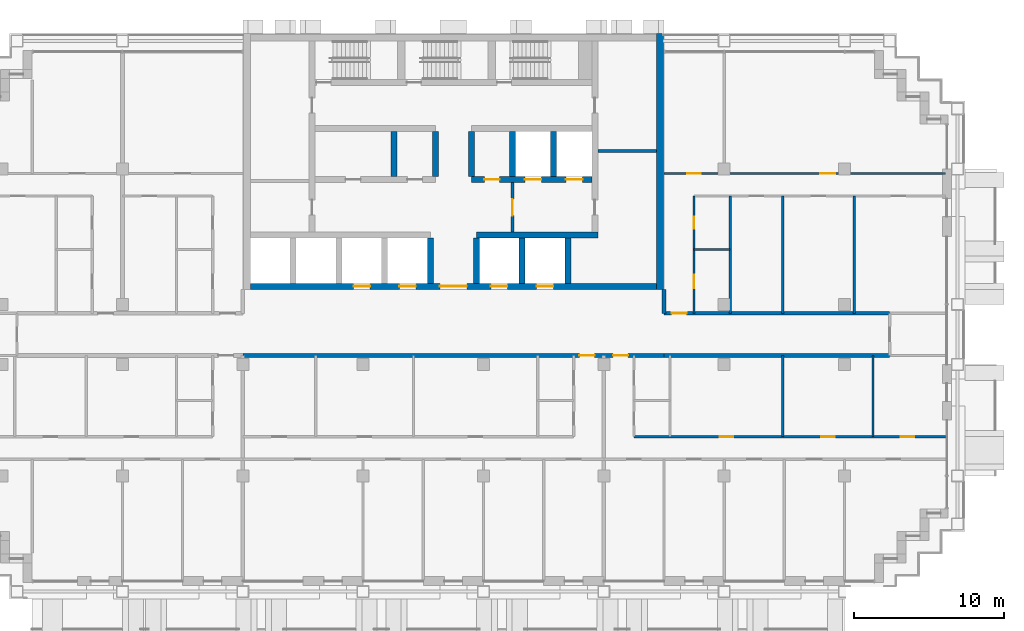
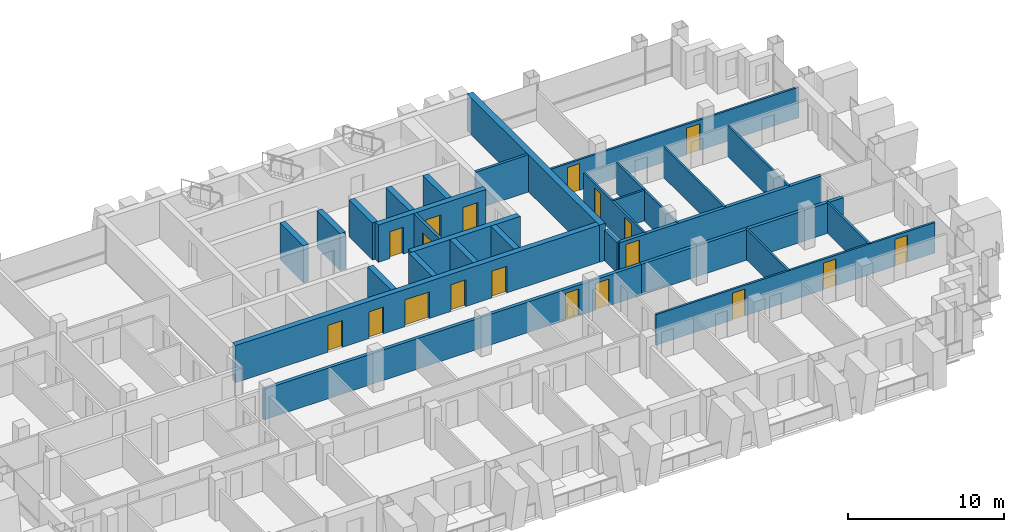
# One storey, part 10 of 18: 28 walls, 19 doors, 19 openings.
"""IFC4 building model written with IfcOpenShell, lengths in metres."""

from ifc_helpers import new_model, si_unit, direction, frame, frame_2d, origin, place, context, subcontext, project, spatial, rectangle, extrude, material, layer, layer_set, type_object, element, fill, save


model = new_model("IFC4")

# Units and contexts
model_context = context("Model", 3, precision=1e-05, world=origin(), true_north=direction((0.0, 1.0)))
body_context = subcontext(model_context, "Body", "Model", "MODEL_VIEW")
ifc_project = project(units=[si_unit("LENGTHUNIT", "METRE"), si_unit("AREAUNIT", "SQUARE_METRE"), si_unit("VOLUMEUNIT", "CUBIC_METRE"), si_unit("PLANEANGLEUNIT", "RADIAN"), si_unit("MASSUNIT", "GRAM", prefix="KILO")], contexts=[model_context])

# Site, building, storey
site_placement = place(None, origin())
site = spatial("IfcSite", under=ifc_project, at=site_placement, CompositionType="ELEMENT")
building_placement = place(site_placement, origin())
building = spatial("IfcBuilding", under=site, at=building_placement, Name="Vidyagriha Tower", CompositionType="ELEMENT")
storey_placement = place(building_placement, frame((0.0, 0.0, 142.199951171875)))
storey = spatial("IfcBuildingStorey", under=building, at=storey_placement, Name="L37", CompositionType="ELEMENT", Elevation=142.199951171875)

# Wall, openings, doors
ifc_material_1 = material(Name="Concrete C60/75", Category="concrete")
ifc_layer_1 = layer(ifc_material_1, 0.39990234375)
ifc_layer_set_1 = layer_set([ifc_layer_1], Name="Concrete C60/75")
wall_type_1 = type_object("IfcWallType", Name="Core shear wall 400 mm", PredefinedType="SHEAR", material=ifc_layer_set_1)
wall_1_placement = place(storey_placement, frame((-13.5, 3.199951171875, 0.0)))
wall_1 = element("IfcWall", 1, at=wall_1_placement, inside=storey, type_object=wall_type_1, Name="Core front wall", PredefinedType="SHEAR", context=body_context, shape_type="SweptSolid", body=[
    extrude(rectangle(XDim=27.0, YDim=0.39990234375, at=frame_2d((13.5, 0.0))), origin(), (0.0, 0.0, 1.0), 2.920166015625),
])
opening_1_placement = place(wall_1_placement, frame((6.861083984375, 0.0, 0.0)))
opening_1 = element("IfcOpeningElement", 2, at=opening_1_placement, cuts=wall_1, Name="Opening LD37-01", PredefinedType="OPENING", context=body_context, shape_type="SweptSolid", body=[
    extrude(rectangle(XDim=1.10009765625, YDim=2.10009765625, at=frame_2d((0.550048828125, 1.050048828125))), frame((0.0, 0.2099609375, 0.0), z_axis=(0.0, -1.0, 0.0), x_axis=(1.0, 0.0, 0.0)), (0.0, 0.0, 1.0), 0.419921875),
])
opening_2_placement = place(wall_1_placement, frame((9.905517578125, 0.0, 0.0)))
opening_2 = element("IfcOpeningElement", 3, at=opening_2_placement, cuts=wall_1, Name="Opening LD37-02", PredefinedType="OPENING", context=body_context, shape_type="SweptSolid", body=[
    extrude(rectangle(XDim=1.10009765625, YDim=2.10009765625, at=frame_2d((0.550048828125, 1.050048828125))), frame((0.0, 0.2099609375, 0.0), z_axis=(0.0, -1.0, 0.0), x_axis=(1.0, 0.0, 0.0)), (0.0, 0.0, 1.0), 0.419921875),
])
opening_3_placement = place(wall_1_placement, frame((15.994384765625, 0.0, 0.0)))
opening_3 = element("IfcOpeningElement", 4, at=opening_3_placement, cuts=wall_1, Name="Opening LD37-03", PredefinedType="OPENING", context=body_context, shape_type="SweptSolid", body=[
    extrude(rectangle(XDim=1.10009765625, YDim=2.10009765625, at=frame_2d((0.550048828125, 1.050048828125))), frame((0.0, 0.2099609375, 0.0), z_axis=(0.0, -1.0, 0.0), x_axis=(1.0, 0.0, 0.0)), (0.0, 0.0, 1.0), 0.419921875),
])
opening_4_placement = place(wall_1_placement, frame((19.038818359375, 0.0, 0.0)))
opening_4 = element("IfcOpeningElement", 5, at=opening_4_placement, cuts=wall_1, Name="Opening LD37-04", PredefinedType="OPENING", context=body_context, shape_type="SweptSolid", body=[
    extrude(rectangle(XDim=1.10009765625, YDim=2.10009765625, at=frame_2d((0.550048828125, 1.050048828125))), frame((0.0, 0.2099609375, 0.0), z_axis=(0.0, -1.0, 0.0), x_axis=(1.0, 0.0, 0.0)), (0.0, 0.0, 1.0), 0.419921875),
])
opening_5_placement = place(wall_1_placement, frame((12.60009765625, 0.0, 0.0)))
opening_5 = element("IfcOpeningElement", 6, at=opening_5_placement, cuts=wall_1, Name="Opening D37-01", PredefinedType="OPENING", context=body_context, shape_type="SweptSolid", body=[
    extrude(rectangle(XDim=1.800048828125, YDim=2.10009765625, at=frame_2d((0.89990234375, 1.050048828125))), frame((0.0, 0.2099609375, 0.0), z_axis=(0.0, -1.0, 0.0), x_axis=(1.0, 0.0, 0.0)), (0.0, 0.0, 1.0), 0.419921875),
])
ifc_material_2 = material(Name="Hollow metal door leaf")
door_type_1 = type_object("IfcDoorType", Name="Core lobby double door 1800 x 2100 mm EI 60", OperationType="NOTDEFINED", PredefinedType="DOOR", material=ifc_material_2)
door_1_placement = place(opening_5_placement, frame((1.800048828125, 0.0, 0.0), z_axis=(0.0, 0.0, 1.0), x_axis=(-1.0, 0.0, 0.0)))
door_1 = element("IfcDoor", 7, at=door_1_placement, inside=storey, type_object=door_type_1, Name="Core entrance door L37", OperationType="DOUBLE_DOOR_SINGLE_SWING", OverallHeight=2.10009765625, OverallWidth=1.800048828125, PredefinedType="DOOR", context=body_context, shape_type="SweptSolid", body=[
    extrude(rectangle(XDim=1.800048828125, YDim=2.10009765625, at=frame_2d((0.89990234375, 1.050048828125))), frame((0.0, 0.02490234375, 0.0), z_axis=(0.0, -1.0, 0.0), x_axis=(1.0, 0.0, 0.0)), (0.0, 0.0, 1.0), 0.050048828125),
])
fill(opening_5, door_1)
ifc_material_3 = material(Name="Stainless steel sliding door panel", Category="steel")
door_type_2 = type_object("IfcDoorType", Name="Lift landing door 1100 x 2100 mm EI 90", OperationType="NOTDEFINED", PredefinedType="DOOR", material=ifc_material_3)
door_2_placement = place(opening_1_placement, origin())
door_2 = element("IfcDoor", 8, at=door_2_placement, inside=storey, type_object=door_type_2, Name="Landing door LR1 L37", OperationType="SLIDING_TO_LEFT", OverallHeight=2.10009765625, OverallWidth=1.10009765625, PredefinedType="DOOR", context=body_context, shape_type="SweptSolid", body=[
    extrude(rectangle(XDim=1.10009765625, YDim=2.10009765625, at=frame_2d((0.550048828125, 1.050048828125))), frame((0.0, 0.02490234375, 0.0), z_axis=(0.0, -1.0, 0.0), x_axis=(1.0, 0.0, 0.0)), (0.0, 0.0, 1.0), 0.050048828125),
])
fill(opening_1, door_2)
door_3_placement = place(opening_2_placement, origin())
door_3 = element("IfcDoor", 9, at=door_3_placement, inside=storey, type_object=door_type_2, Name="Landing door LR2 L37", OperationType="SLIDING_TO_LEFT", OverallHeight=2.10009765625, OverallWidth=1.10009765625, PredefinedType="DOOR", context=body_context, shape_type="SweptSolid", body=[
    extrude(rectangle(XDim=1.10009765625, YDim=2.10009765625, at=frame_2d((0.550048828125, 1.050048828125))), frame((0.0, 0.02490234375, 0.0), z_axis=(0.0, -1.0, 0.0), x_axis=(1.0, 0.0, 0.0)), (0.0, 0.0, 1.0), 0.050048828125),
])
fill(opening_2, door_3)
door_4_placement = place(opening_3_placement, origin())
door_4 = element("IfcDoor", 10, at=door_4_placement, inside=storey, type_object=door_type_2, Name="Landing door LR3 L37", OperationType="SLIDING_TO_LEFT", OverallHeight=2.10009765625, OverallWidth=1.10009765625, PredefinedType="DOOR", context=body_context, shape_type="SweptSolid", body=[
    extrude(rectangle(XDim=1.10009765625, YDim=2.10009765625, at=frame_2d((0.550048828125, 1.050048828125))), frame((0.0, 0.02490234375, 0.0), z_axis=(0.0, -1.0, 0.0), x_axis=(1.0, 0.0, 0.0)), (0.0, 0.0, 1.0), 0.050048828125),
])
fill(opening_3, door_4)
door_5_placement = place(opening_4_placement, origin())
door_5 = element("IfcDoor", 11, at=door_5_placement, inside=storey, type_object=door_type_2, Name="Landing door LR4 L37", OperationType="SLIDING_TO_LEFT", OverallHeight=2.10009765625, OverallWidth=1.10009765625, PredefinedType="DOOR", context=body_context, shape_type="SweptSolid", body=[
    extrude(rectangle(XDim=1.10009765625, YDim=2.10009765625, at=frame_2d((0.550048828125, 1.050048828125))), frame((0.0, 0.02490234375, 0.0), z_axis=(0.0, -1.0, 0.0), x_axis=(1.0, 0.0, 0.0)), (0.0, 0.0, 1.0), 0.050048828125),
])
fill(opening_4, door_5)

# Walls
wall_2_placement = place(storey_placement, frame((1.522216796875, 6.60009765625, 0.0)))
element("IfcWall", 12, at=wall_2_placement, inside=storey, type_object=wall_type_1, Name="Core lobby south wall east", PredefinedType="SHEAR", context=body_context, shape_type="SweptSolid", body=[
    extrude(rectangle(XDim=8.077880859375, YDim=0.39990234375, at=frame_2d((4.0390625, 0.0))), origin(), (0.0, 0.0, 1.0), 2.920166015625),
])
for number, where, z_axis, x_axis, name in (
    (13, (-1.522216796875, 3.39990234375, 0.0), (0.0, 0.0, 1.0), (0.0, 1.0, 0.0), "Core bay wall S4"),
    (14, (1.522216796875, 3.39990234375, 0.0), (0.0, 0.0, 1.0), (0.0, 1.0, 0.0), "Core bay wall S5"),
    (15, (4.566650390625, 3.39990234375, 0.0), (0.0, 0.0, 1.0), (0.0, 1.0, 0.0), "Core bay wall S6"),
    (16, (7.611083984375, 3.39990234375, 0.0), (0.0, 0.0, 1.0), (0.0, 1.0, 0.0), "Core bay wall S7"),
):
    element("IfcWall", number, at=place(storey_placement, frame(where, z_axis=z_axis, x_axis=x_axis)), inside=storey, type_object=wall_type_1, Name=name, PredefinedType="SHEAR", context=body_context, shape_type="SweptSolid", body=[
        extrude(rectangle(XDim=3.0, YDim=0.39990234375, at=frame_2d((1.5, 0.0))), origin(), (0.0, 0.0, 1.0), 2.920166015625),
    ])

# Wall, openings, doors
wall_3_placement = place(storey_placement, frame((1.199951171875, 10.300048828125, 0.0)))
wall_3 = element("IfcWall", 17, at=wall_3_placement, inside=storey, type_object=wall_type_1, Name="Core row N front wall", PredefinedType="SHEAR", context=body_context, shape_type="SweptSolid", body=[
    extrude(rectangle(XDim=8.0, YDim=0.39990234375, at=frame_2d((4.0, 0.0))), origin(), (0.0, 0.0, 1.0), 2.920166015625),
])
opening_6_placement = place(wall_3_placement, frame((3.550048828125, 0.0, 0.0)))
opening_6 = element("IfcOpeningElement", 18, at=opening_6_placement, cuts=wall_3, Name="Opening LD37-05", PredefinedType="OPENING", context=body_context, shape_type="SweptSolid", body=[
    extrude(rectangle(XDim=1.10009765625, YDim=2.10009765625, at=frame_2d((0.550048828125, 1.050048828125))), frame((0.0, 0.2099609375, 0.0), z_axis=(0.0, -1.0, 0.0), x_axis=(1.0, 0.0, 0.0)), (0.0, 0.0, 1.0), 0.419921875),
])
opening_7_placement = place(wall_3_placement, frame((6.283203125, 0.0, 0.0)))
opening_7 = element("IfcOpeningElement", 19, at=opening_7_placement, cuts=wall_3, Name="Opening LD37-06", PredefinedType="OPENING", context=body_context, shape_type="SweptSolid", body=[
    extrude(rectangle(XDim=1.10009765625, YDim=2.10009765625, at=frame_2d((0.550048828125, 1.050048828125))), frame((0.0, 0.2099609375, 0.0), z_axis=(0.0, -1.0, 0.0), x_axis=(1.0, 0.0, 0.0)), (0.0, 0.0, 1.0), 0.419921875),
])
opening_8_placement = place(wall_3_placement, frame((0.86669921875, 0.0, 0.0)))
opening_8 = element("IfcOpeningElement", 20, at=opening_8_placement, cuts=wall_3, Name="Opening D37-04", PredefinedType="OPENING", context=body_context, shape_type="SweptSolid", body=[
    extrude(rectangle(XDim=1.0, YDim=2.10009765625, at=frame_2d((0.5, 1.050048828125))), frame((0.0, 0.2099609375, 0.0), z_axis=(0.0, -1.0, 0.0), x_axis=(1.0, 0.0, 0.0)), (0.0, 0.0, 1.0), 0.419921875),
])
ifc_material_4 = material(Name="Hollow metal door leaf")
door_type_3 = type_object("IfcDoorType", Name="Core room door 1000 x 2100 mm EI 60", OperationType="NOTDEFINED", PredefinedType="DOOR", material=ifc_material_4)
door_6_placement = place(opening_8_placement, frame((1.0, 0.0, 0.0), z_axis=(0.0, 0.0, 1.0), x_axis=(-1.0, 0.0, 0.0)))
door_6 = element("IfcDoor", 21, at=door_6_placement, inside=storey, type_object=door_type_3, Name="Door Pressurisation Plant Room 37.16", OperationType="SINGLE_SWING_LEFT", OverallHeight=2.10009765625, OverallWidth=1.0, PredefinedType="DOOR", context=body_context, shape_type="SweptSolid", body=[
    extrude(rectangle(XDim=1.0, YDim=2.10009765625, at=frame_2d((0.5, 1.050048828125))), frame((0.0, 0.02490234375, 0.0), z_axis=(0.0, -1.0, 0.0), x_axis=(1.0, 0.0, 0.0)), (0.0, 0.0, 1.0), 0.050048828125),
])
fill(opening_8, door_6)
door_7_placement = place(opening_6_placement, origin())
door_7 = element("IfcDoor", 22, at=door_7_placement, inside=storey, type_object=door_type_2, Name="Landing door FF1 L37", OperationType="SLIDING_TO_LEFT", OverallHeight=2.10009765625, OverallWidth=1.10009765625, PredefinedType="DOOR", context=body_context, shape_type="SweptSolid", body=[
    extrude(rectangle(XDim=1.10009765625, YDim=2.10009765625, at=frame_2d((0.550048828125, 1.050048828125))), frame((0.0, 0.02490234375, 0.0), z_axis=(0.0, -1.0, 0.0), x_axis=(1.0, 0.0, 0.0)), (0.0, 0.0, 1.0), 0.050048828125),
])
fill(opening_6, door_7)
door_8_placement = place(opening_7_placement, origin())
door_8 = element("IfcDoor", 23, at=door_8_placement, inside=storey, type_object=door_type_2, Name="Landing door FF2 L37", OperationType="SLIDING_TO_LEFT", OverallHeight=2.10009765625, OverallWidth=1.10009765625, PredefinedType="DOOR", context=body_context, shape_type="SweptSolid", body=[
    extrude(rectangle(XDim=1.10009765625, YDim=2.10009765625, at=frame_2d((0.550048828125, 1.050048828125))), frame((0.0, 0.02490234375, 0.0), z_axis=(0.0, -1.0, 0.0), x_axis=(1.0, 0.0, 0.0)), (0.0, 0.0, 1.0), 0.050048828125),
])
fill(opening_7, door_8)

# Walls
for number, where, z_axis, x_axis, name in (
    (24, (-3.933349609375, 10.5, 0.0), (0.0, 0.0, 1.0), (0.0, 1.0, 0.0), "Core bay wall N2"),
    (25, (-1.199951171875, 10.5, 0.0), (0.0, 0.0, 1.0), (0.0, 1.0, 0.0), "Core bay wall N3"),
    (26, (1.199951171875, 10.5, 0.0), (0.0, 0.0, 1.0), (0.0, 1.0, 0.0), "Core bay wall N4"),
    (27, (3.933349609375, 10.5, 0.0), (0.0, 0.0, 1.0), (0.0, 1.0, 0.0), "Core bay wall N5"),
    (28, (6.666748046875, 10.5, 0.0), (0.0, 0.0, 1.0), (0.0, 1.0, 0.0), "Core bay wall N6"),
):
    element("IfcWall", number, at=place(storey_placement, frame(where, z_axis=z_axis, x_axis=x_axis)), inside=storey, type_object=wall_type_1, Name=name, PredefinedType="SHEAR", context=body_context, shape_type="SweptSolid", body=[
        extrude(rectangle(XDim=3.0, YDim=0.39990234375, at=frame_2d((1.5, 0.0))), origin(), (0.0, 0.0, 1.0), 2.920166015625),
    ])
ifc_material_5 = material(Name="Concrete C60/75", Category="concrete")
ifc_layer_2 = layer(ifc_material_5, 0.449951171875)
ifc_layer_set_2 = layer_set([ifc_layer_2], Name="Concrete C60/75")
wall_type_2 = type_object("IfcWallType", Name="Core shear wall 450 mm", PredefinedType="SHEAR", material=ifc_layer_set_2)
wall_4_placement = place(storey_placement, frame((13.72509765625, 3.0, 0.0), z_axis=(0.0, 0.0, 1.0), x_axis=(0.0, 1.0, 0.0)))
element("IfcWall", 29, at=wall_4_placement, inside=storey, type_object=wall_type_2, Name="Core east wall", PredefinedType="SHEAR", context=body_context, shape_type="SweptSolid", body=[
    extrude(rectangle(XDim=17.0, YDim=0.449951171875, at=frame_2d((8.5, 0.0))), origin(), (0.0, 0.0, 1.0), 2.920166015625),
])
ifc_material_6 = material(Name="Fired clay brick masonry", Category="masonry")
ifc_layer_3 = layer(ifc_material_6, 0.25)
ifc_layer_set_3 = layer_set([ifc_layer_3], Name="Fired clay brick masonry")
wall_type_3 = type_object("IfcWallType", Name="Fired clay brick corridor wall 250", PredefinedType="PARTITIONING", material=ifc_layer_set_3)
wall_5_placement = place(storey_placement, frame((29.0, -1.39990234375, 0.0), z_axis=(0.0, 0.0, 1.0), x_axis=(-1.0, 0.0, 0.0)))
element("IfcWall", 30, at=wall_5_placement, inside=storey, type_object=wall_type_3, Name="Wall all-L37-w069", PredefinedType="PARTITIONING", context=body_context, shape_type="SweptSolid", body=[
    extrude(rectangle(XDim=15.0, YDim=0.25, at=frame_2d((7.5, 0.0))), origin(), (0.0, 0.0, 1.0), 2.400146484375),
])

# Wall, opening, door
wall_6_placement = place(storey_placement, frame((14.0, 1.39990234375, 0.0)))
wall_6 = element("IfcWall", 31, at=wall_6_placement, inside=storey, type_object=wall_type_3, Name="Wall all-L37-w112", PredefinedType="PARTITIONING", context=body_context, shape_type="SweptSolid", body=[
    extrude(rectangle(XDim=15.0, YDim=0.25, at=frame_2d((7.5, 0.0))), origin(), (0.0, 0.0, 1.0), 2.400146484375),
])
opening_9_placement = place(wall_6_placement, frame((0.5, 0.0, 0.0)))
opening_9 = element("IfcOpeningElement", 32, at=opening_9_placement, cuts=wall_6, Name="Opening D37-63", PredefinedType="OPENING", context=body_context, shape_type="SweptSolid", body=[
    extrude(rectangle(XDim=1.0, YDim=2.10009765625, at=frame_2d((0.5, 1.050048828125))), frame((0.0, 0.135009765625, 0.0), z_axis=(0.0, -1.0, 0.0), x_axis=(1.0, 0.0, 0.0)), (0.0, 0.0, 1.0), 0.27001953125),
])
ifc_material_7 = material(Name="Fire-rated timber door leaf EI 60", Category="wood")
door_type_4 = type_object("IfcDoorType", Name="Flat entrance fire door 1000x2100", OperationType="NOTDEFINED", PredefinedType="DOOR", material=ifc_material_7)
door_9_placement = place(opening_9_placement, origin())
door_9 = element("IfcDoor", 33, at=door_9_placement, inside=storey, type_object=door_type_4, Name="Door D37-63", OperationType="SINGLE_SWING_LEFT", OverallHeight=2.10009765625, OverallWidth=1.0, PredefinedType="DOOR", context=body_context, shape_type="SweptSolid", body=[
    extrude(rectangle(XDim=1.0, YDim=2.10009765625, at=frame_2d((0.5, 1.050048828125))), frame((0.0, 0.02490234375, 0.0), z_axis=(0.0, -1.0, 0.0), x_axis=(1.0, 0.0, 0.0)), (0.0, 0.0, 1.0), 0.050048828125),
])
fill(opening_9, door_9)

# Wall, openings, doors
wall_7_placement = place(storey_placement, frame((14.0, -1.39990234375, 0.0), z_axis=(0.0, 0.0, 1.0), x_axis=(-1.0, 0.0, 0.0)))
wall_7 = element("IfcWall", 34, at=wall_7_placement, inside=storey, type_object=wall_type_3, Name="Wall all-L37-w118", PredefinedType="PARTITIONING", context=body_context, shape_type="SweptSolid", body=[
    extrude(rectangle(XDim=28.0, YDim=0.25, at=frame_2d((14.0, 0.0))), origin(), (0.0, 0.0, 1.0), 2.400146484375),
])
opening_10_placement = place(wall_7_placement, frame((4.617919921875, 0.0, 0.0)))
opening_10 = element("IfcOpeningElement", 35, at=opening_10_placement, cuts=wall_7, Name="Opening D37-33", PredefinedType="OPENING", context=body_context, shape_type="SweptSolid", body=[
    extrude(rectangle(XDim=1.0, YDim=2.10009765625, at=frame_2d((0.5, 1.050048828125))), frame((0.0, 0.135009765625, 0.0), z_axis=(0.0, -1.0, 0.0), x_axis=(1.0, 0.0, 0.0)), (0.0, 0.0, 1.0), 0.27001953125),
])
opening_11_placement = place(wall_7_placement, frame((2.382080078125, 0.0, 0.0)))
opening_11 = element("IfcOpeningElement", 36, at=opening_11_placement, cuts=wall_7, Name="Opening D37-44", PredefinedType="OPENING", context=body_context, shape_type="SweptSolid", body=[
    extrude(rectangle(XDim=1.0, YDim=2.10009765625, at=frame_2d((0.5, 1.050048828125))), frame((0.0, 0.135009765625, 0.0), z_axis=(0.0, -1.0, 0.0), x_axis=(1.0, 0.0, 0.0)), (0.0, 0.0, 1.0), 0.27001953125),
])
door_10_placement = place(opening_10_placement, origin())
door_10 = element("IfcDoor", 37, at=door_10_placement, inside=storey, type_object=door_type_4, Name="Door D37-33", OperationType="SINGLE_SWING_LEFT", OverallHeight=2.10009765625, OverallWidth=1.0, PredefinedType="DOOR", context=body_context, shape_type="SweptSolid", body=[
    extrude(rectangle(XDim=1.0, YDim=2.10009765625, at=frame_2d((0.5, 1.050048828125))), frame((0.0, 0.02490234375, 0.0), z_axis=(0.0, -1.0, 0.0), x_axis=(1.0, 0.0, 0.0)), (0.0, 0.0, 1.0), 0.050048828125),
])
fill(opening_10, door_10)
door_11_placement = place(opening_11_placement, origin())
door_11 = element("IfcDoor", 38, at=door_11_placement, inside=storey, type_object=door_type_4, Name="Door D37-44", OperationType="SINGLE_SWING_RIGHT", OverallHeight=2.10009765625, OverallWidth=1.0, PredefinedType="DOOR", context=body_context, shape_type="SweptSolid", body=[
    extrude(rectangle(XDim=1.0, YDim=2.10009765625, at=frame_2d((0.5, 1.050048828125))), frame((0.0, 0.02490234375, 0.0), z_axis=(0.0, -1.0, 0.0), x_axis=(1.0, 0.0, 0.0)), (0.0, 0.0, 1.0), 0.050048828125),
])
fill(opening_11, door_11)

# Walls
wall_8_placement = place(storey_placement, frame((14.0, 1.39990234375, 0.0), z_axis=(0.0, 0.0, 1.0), x_axis=(0.0, 1.0, 0.0)))
element("IfcWall", 39, at=wall_8_placement, inside=storey, type_object=wall_type_3, Name="Wall all-L37-w120", PredefinedType="PARTITIONING", context=body_context, shape_type="SweptSolid", body=[
    extrude(rectangle(XDim=1.60009765625, YDim=0.25, at=frame_2d((0.800048828125, 0.0))), origin(), (0.0, 0.0, 1.0), 2.400146484375),
])
ifc_material_8 = material(Name="Gypsum board partition")
ifc_layer_4 = layer(ifc_material_8, 0.14990234375)
ifc_layer_set_4 = layer_set([ifc_layer_4], Name="Gypsum board partition")
wall_type_4 = type_object("IfcWallType", Name="Gypsum board partition 150", PredefinedType="PARTITIONING", material=ifc_layer_set_4)
for number, where, z_axis, x_axis, name in (
    (40, (21.89990234375, -1.39990234375, 0.0), (0.0, 0.0, 1.0), (0.0, -1.0, 0.0), "Wall all-L37-w049"),
    (41, (27.89990234375, -1.39990234375, 0.0), (0.0, 0.0, 1.0), (0.0, -1.0, 0.0), "Wall all-L37-w050"),
):
    element("IfcWall", number, at=place(storey_placement, frame(where, z_axis=z_axis, x_axis=x_axis)), inside=storey, type_object=wall_type_4, Name=name, PredefinedType="PARTITIONING", context=body_context, shape_type="SweptSolid", body=[
        extrude(rectangle(XDim=5.400146484375, YDim=0.14990234375, at=frame_2d((2.7001953125, 0.0))), origin(), (0.0, 0.0, 1.0), 2.400146484375),
    ])

# Wall, openings, doors
wall_9_placement = place(storey_placement, frame((12.0, -6.800048828125, 0.0)))
wall_9 = element("IfcWall", 42, at=wall_9_placement, inside=storey, type_object=wall_type_4, Name="Wall all-L37-w051", PredefinedType="PARTITIONING", context=body_context, shape_type="SweptSolid", body=[
    extrude(rectangle(XDim=20.719970703125, YDim=0.14990234375, at=frame_2d((10.35986328125, 0.0))), origin(), (0.0, 0.0, 1.0), 2.400146484375),
])
opening_12_placement = place(wall_9_placement, frame((5.699951171875, 0.0, 0.0)))
opening_12 = element("IfcOpeningElement", 43, at=opening_12_placement, cuts=wall_9, Name="Opening D37-36", PredefinedType="OPENING", context=body_context, shape_type="SweptSolid", body=[
    extrude(rectangle(XDim=0.89990234375, YDim=2.10009765625, at=frame_2d((0.449951171875, 1.050048828125))), frame((0.0, 0.0849609375, 0.0), z_axis=(0.0, -1.0, 0.0), x_axis=(1.0, 0.0, 0.0)), (0.0, 0.0, 1.0), 0.169921875),
])
opening_13_placement = place(wall_9_placement, frame((12.449951171875, 0.0, 0.0)))
opening_13 = element("IfcOpeningElement", 44, at=opening_13_placement, cuts=wall_9, Name="Opening D37-37", PredefinedType="OPENING", context=body_context, shape_type="SweptSolid", body=[
    extrude(rectangle(XDim=0.89990234375, YDim=2.10009765625, at=frame_2d((0.449951171875, 1.050048828125))), frame((0.0, 0.0849609375, 0.0), z_axis=(0.0, -1.0, 0.0), x_axis=(1.0, 0.0, 0.0)), (0.0, 0.0, 1.0), 0.169921875),
])
opening_14_placement = place(wall_9_placement, frame((17.75, 0.0, 0.0)))
opening_14 = element("IfcOpeningElement", 45, at=opening_14_placement, cuts=wall_9, Name="Opening D37-38", PredefinedType="OPENING", context=body_context, shape_type="SweptSolid", body=[
    extrude(rectangle(XDim=0.89990234375, YDim=2.10009765625, at=frame_2d((0.449951171875, 1.050048828125))), frame((0.0, 0.0849609375, 0.0), z_axis=(0.0, -1.0, 0.0), x_axis=(1.0, 0.0, 0.0)), (0.0, 0.0, 1.0), 0.169921875),
])
ifc_material_9 = material(Name="Timber door leaf", Category="wood")
door_type_5 = type_object("IfcDoorType", Name="Room door 900x2100", OperationType="NOTDEFINED", PredefinedType="DOOR", material=ifc_material_9)
door_12_placement = place(opening_12_placement, origin())
door_12 = element("IfcDoor", 46, at=door_12_placement, inside=storey, type_object=door_type_5, Name="Door D37-36", OperationType="SINGLE_SWING_LEFT", OverallHeight=2.10009765625, OverallWidth=0.89990234375, PredefinedType="DOOR", context=body_context, shape_type="SweptSolid", body=[
    extrude(rectangle(XDim=0.89990234375, YDim=2.10009765625, at=frame_2d((0.449951171875, 1.050048828125))), frame((0.0, 0.02490234375, 0.0), z_axis=(0.0, -1.0, 0.0), x_axis=(1.0, 0.0, 0.0)), (0.0, 0.0, 1.0), 0.050048828125),
])
fill(opening_12, door_12)
door_13_placement = place(opening_13_placement, origin())
door_13 = element("IfcDoor", 47, at=door_13_placement, inside=storey, type_object=door_type_5, Name="Door D37-37", OperationType="SINGLE_SWING_RIGHT", OverallHeight=2.10009765625, OverallWidth=0.89990234375, PredefinedType="DOOR", context=body_context, shape_type="SweptSolid", body=[
    extrude(rectangle(XDim=0.89990234375, YDim=2.10009765625, at=frame_2d((0.449951171875, 1.050048828125))), frame((0.0, 0.02490234375, 0.0), z_axis=(0.0, -1.0, 0.0), x_axis=(1.0, 0.0, 0.0)), (0.0, 0.0, 1.0), 0.050048828125),
])
fill(opening_13, door_13)
door_14_placement = place(opening_14_placement, origin())
door_14 = element("IfcDoor", 48, at=door_14_placement, inside=storey, type_object=door_type_5, Name="Door D37-38", OperationType="SINGLE_SWING_RIGHT", OverallHeight=2.10009765625, OverallWidth=0.89990234375, PredefinedType="DOOR", context=body_context, shape_type="SweptSolid", body=[
    extrude(rectangle(XDim=0.89990234375, YDim=2.10009765625, at=frame_2d((0.449951171875, 1.050048828125))), frame((0.0, 0.02490234375, 0.0), z_axis=(0.0, -1.0, 0.0), x_axis=(1.0, 0.0, 0.0)), (0.0, 0.0, 1.0), 0.050048828125),
])
fill(opening_14, door_14)

# Walls
wall_10_placement = place(storey_placement, frame((16.0, 5.64990234375, 0.0)))
element("IfcWall", 49, at=wall_10_placement, inside=storey, type_object=wall_type_4, Name="Wall all-L37-w099", PredefinedType="PARTITIONING", context=body_context, shape_type="SweptSolid", body=[
    extrude(rectangle(XDim=2.39990234375, YDim=0.14990234375, at=frame_2d((1.199951171875, 0.0))), origin(), (0.0, 0.0, 1.0), 2.400146484375),
])
for number, where, z_axis, x_axis, name in (
    (50, (18.39990234375, 9.199951171875, 0.0), (0.0, 0.0, 1.0), (0.0, -1.0, 0.0), "Wall all-L37-w100"),
    (51, (21.89990234375, 9.199951171875, 0.0), (0.0, 0.0, 1.0), (0.0, -1.0, 0.0), "Wall all-L37-w101"),
    (52, (26.64990234375, 9.199951171875, 0.0), (0.0, 0.0, 1.0), (0.0, -1.0, 0.0), "Wall all-L37-w102"),
):
    element("IfcWall", number, at=place(storey_placement, frame(where, z_axis=z_axis, x_axis=x_axis)), inside=storey, type_object=wall_type_4, Name=name, PredefinedType="PARTITIONING", context=body_context, shape_type="SweptSolid", body=[
        extrude(rectangle(XDim=7.800048828125, YDim=0.14990234375, at=frame_2d((3.89990234375, 0.0))), origin(), (0.0, 0.0, 1.0), 2.400146484375),
    ])

# Wall, openings, doors
wall_11_placement = place(storey_placement, frame((14.0, 10.699951171875, 0.0)))
wall_11 = element("IfcWall", 53, at=wall_11_placement, inside=storey, type_object=wall_type_4, Name="Wall all-L37-w107", PredefinedType="PARTITIONING", context=body_context, shape_type="SweptSolid", body=[
    extrude(rectangle(XDim=18.7099609375, YDim=0.14990234375, at=frame_2d((9.35498046875, 0.0))), origin(), (0.0, 0.0, 1.0), 2.400146484375),
])
opening_15_placement = place(wall_11_placement, frame((1.550048828125, 0.0, 0.0)))
opening_15 = element("IfcOpeningElement", 54, at=opening_15_placement, cuts=wall_11, Name="Opening D37-61", PredefinedType="OPENING", context=body_context, shape_type="SweptSolid", body=[
    extrude(rectangle(XDim=0.89990234375, YDim=2.10009765625, at=frame_2d((0.449951171875, 1.050048828125))), frame((0.0, 0.0849609375, 0.0), z_axis=(0.0, -1.0, 0.0), x_axis=(1.0, 0.0, 0.0)), (0.0, 0.0, 1.0), 0.169921875),
])
opening_16_placement = place(wall_11_placement, frame((10.382080078125, 0.0, 0.0)))
opening_16 = element("IfcOpeningElement", 55, at=opening_16_placement, cuts=wall_11, Name="Opening D37-62", PredefinedType="OPENING", context=body_context, shape_type="SweptSolid", body=[
    extrude(rectangle(XDim=1.0, YDim=2.10009765625, at=frame_2d((0.5, 1.050048828125))), frame((0.0, 0.0849609375, 0.0), z_axis=(0.0, -1.0, 0.0), x_axis=(1.0, 0.0, 0.0)), (0.0, 0.0, 1.0), 0.169921875),
])
ifc_material_10 = material(Name="Timber door leaf", Category="wood")
door_type_6 = type_object("IfcDoorType", Name="Room door 1000x2100", OperationType="NOTDEFINED", PredefinedType="DOOR", material=ifc_material_10)
door_15_placement = place(opening_16_placement, origin())
door_15 = element("IfcDoor", 56, at=door_15_placement, inside=storey, type_object=door_type_6, Name="Door D37-62", OperationType="SINGLE_SWING_LEFT", OverallHeight=2.10009765625, OverallWidth=1.0, PredefinedType="DOOR", context=body_context, shape_type="SweptSolid", body=[
    extrude(rectangle(XDim=1.0, YDim=2.10009765625, at=frame_2d((0.5, 1.050048828125))), frame((0.0, 0.02490234375, 0.0), z_axis=(0.0, -1.0, 0.0), x_axis=(1.0, 0.0, 0.0)), (0.0, 0.0, 1.0), 0.050048828125),
])
fill(opening_16, door_15)
door_16_placement = place(opening_15_placement, origin())
door_16 = element("IfcDoor", 57, at=door_16_placement, inside=storey, type_object=door_type_5, Name="Door D37-61", OperationType="SINGLE_SWING_RIGHT", OverallHeight=2.10009765625, OverallWidth=0.89990234375, PredefinedType="DOOR", context=body_context, shape_type="SweptSolid", body=[
    extrude(rectangle(XDim=0.89990234375, YDim=2.10009765625, at=frame_2d((0.449951171875, 1.050048828125))), frame((0.0, 0.02490234375, 0.0), z_axis=(0.0, -1.0, 0.0), x_axis=(1.0, 0.0, 0.0)), (0.0, 0.0, 1.0), 0.050048828125),
])
fill(opening_15, door_16)

ifc_material_11 = material(Name="Moisture resistant gypsum board partition")
ifc_layer_5 = layer(ifc_material_11, 0.14990234375)
ifc_layer_set_5 = layer_set([ifc_layer_5], Name="Moisture resistant gypsum board partition")
wall_type_5 = type_object("IfcWallType", Name="Gypsum board wet-area partition 150", PredefinedType="PARTITIONING", material=ifc_layer_set_5)
wall_12_placement = place(storey_placement, frame((16.0, 9.199951171875, 0.0), z_axis=(0.0, 0.0, 1.0), x_axis=(0.0, -1.0, 0.0)))
wall_12 = element("IfcWall", 58, at=wall_12_placement, inside=storey, type_object=wall_type_5, Name="Wall all-L37-w096", PredefinedType="PARTITIONING", context=body_context, shape_type="SweptSolid", body=[
    extrude(rectangle(XDim=7.800048828125, YDim=0.14990234375, at=frame_2d((3.89990234375, 0.0))), origin(), (0.0, 0.0, 1.0), 2.400146484375),
])
opening_17_placement = place(wall_12_placement, frame((5.22509765625, 0.0, 0.0)))
opening_17 = element("IfcOpeningElement", 59, at=opening_17_placement, cuts=wall_12, Name="Opening D37-56", PredefinedType="OPENING", context=body_context, shape_type="SweptSolid", body=[
    extrude(rectangle(XDim=0.89990234375, YDim=2.10009765625, at=frame_2d((0.449951171875, 1.050048828125))), frame((0.0, 0.0849609375, 0.0), z_axis=(0.0, -1.0, 0.0), x_axis=(1.0, 0.0, 0.0)), (0.0, 0.0, 1.0), 0.169921875),
])
opening_18_placement = place(wall_12_placement, frame((1.375, 0.0, 0.0)))
opening_18 = element("IfcOpeningElement", 60, at=opening_18_placement, cuts=wall_12, Name="Opening D37-57", PredefinedType="OPENING", context=body_context, shape_type="SweptSolid", body=[
    extrude(rectangle(XDim=0.800048828125, YDim=2.10009765625, at=frame_2d((0.39990234375, 1.050048828125))), frame((0.0, 0.0849609375, 0.0), z_axis=(0.0, -1.0, 0.0), x_axis=(1.0, 0.0, 0.0)), (0.0, 0.0, 1.0), 0.169921875),
])
ifc_material_12 = material(Name="Timber door leaf", Category="wood")
door_type_7 = type_object("IfcDoorType", Name="Bathroom door 800x2100", OperationType="NOTDEFINED", PredefinedType="DOOR", material=ifc_material_12)
door_17_placement = place(opening_18_placement, origin())
door_17 = element("IfcDoor", 61, at=door_17_placement, inside=storey, type_object=door_type_7, Name="Door D37-57", OperationType="SINGLE_SWING_RIGHT", OverallHeight=2.10009765625, OverallWidth=0.800048828125, PredefinedType="DOOR", context=body_context, shape_type="SweptSolid", body=[
    extrude(rectangle(XDim=0.800048828125, YDim=2.10009765625, at=frame_2d((0.39990234375, 1.050048828125))), frame((0.0, 0.02490234375, 0.0), z_axis=(0.0, -1.0, 0.0), x_axis=(1.0, 0.0, 0.0)), (0.0, 0.0, 1.0), 0.050048828125),
])
fill(opening_18, door_17)
ifc_material_13 = material(Name="Timber door leaf", Category="wood")
door_type_8 = type_object("IfcDoorType", Name="Kitchen door 900x2100", OperationType="NOTDEFINED", PredefinedType="DOOR", material=ifc_material_13)
door_18_placement = place(opening_17_placement, origin())
door_18 = element("IfcDoor", 62, at=door_18_placement, inside=storey, type_object=door_type_8, Name="Door D37-56", OperationType="SINGLE_SWING_LEFT", OverallHeight=2.10009765625, OverallWidth=0.89990234375, PredefinedType="DOOR", context=body_context, shape_type="SweptSolid", body=[
    extrude(rectangle(XDim=0.89990234375, YDim=2.10009765625, at=frame_2d((0.449951171875, 1.050048828125))), frame((0.0, 0.02490234375, 0.0), z_axis=(0.0, -1.0, 0.0), x_axis=(1.0, 0.0, 0.0)), (0.0, 0.0, 1.0), 0.050048828125),
])
fill(opening_17, door_18)

# Wall, opening, door
ifc_material_14 = material(Name="Blockwork 15 MPa", Category="masonry")
ifc_layer_6 = layer(ifc_material_14, 0.199951171875)
ifc_layer_set_6 = layer_set([ifc_layer_6], Name="Blockwork 15 MPa")
wall_type_6 = type_object("IfcWallType", Name="Service room partition 200 mm", PredefinedType="PARTITIONING", material=ifc_layer_set_6)
wall_13_placement = place(storey_placement, frame((3.933349609375, 6.800048828125, 0.0), z_axis=(0.0, 0.0, 1.0), x_axis=(0.0, 1.0, 0.0)))
wall_13 = element("IfcWall", 63, at=wall_13_placement, inside=storey, type_object=wall_type_6, Name="Fire-fighting lobby west wall", PredefinedType="PARTITIONING", context=body_context, shape_type="SweptSolid", body=[
    extrude(rectangle(XDim=3.300048828125, YDim=0.199951171875, at=frame_2d((1.64990234375, 0.0))), origin(), (0.0, 0.0, 1.0), 2.920166015625),
])
opening_19_placement = place(wall_13_placement, frame((1.10009765625, 0.0, 0.0)))
opening_19 = element("IfcOpeningElement", 64, at=opening_19_placement, cuts=wall_13, Name="Opening D37-05", PredefinedType="OPENING", context=body_context, shape_type="SweptSolid", body=[
    extrude(rectangle(XDim=1.10009765625, YDim=2.10009765625, at=frame_2d((0.550048828125, 1.050048828125))), frame((0.0, 0.10986328125, 0.0), z_axis=(0.0, -1.0, 0.0), x_axis=(1.0, 0.0, 0.0)), (0.0, 0.0, 1.0), 0.219970703125),
])
ifc_material_15 = material(Name="Hollow metal door leaf")
door_type_9 = type_object("IfcDoorType", Name="Fire-fighting lobby door 1100 x 2100 mm EI 90", OperationType="NOTDEFINED", PredefinedType="DOOR", material=ifc_material_15)
door_19_placement = place(opening_19_placement, origin())
door_19 = element("IfcDoor", 65, at=door_19_placement, inside=storey, type_object=door_type_9, Name="Fire-fighting lobby door L37", OperationType="SINGLE_SWING_RIGHT", OverallHeight=2.10009765625, OverallWidth=1.10009765625, PredefinedType="DOOR", context=body_context, shape_type="SweptSolid", body=[
    extrude(rectangle(XDim=1.10009765625, YDim=2.10009765625, at=frame_2d((0.550048828125, 1.050048828125))), frame((0.0, 0.02490234375, 0.0), z_axis=(0.0, -1.0, 0.0), x_axis=(1.0, 0.0, 0.0)), (0.0, 0.0, 1.0), 0.050048828125),
])
fill(opening_19, door_19)

# Wall
wall_14_placement = place(storey_placement, frame((9.60009765625, 12.199951171875, 0.0)))
element("IfcWall", 66, at=wall_14_placement, inside=storey, type_object=wall_type_6, Name="Core room partition E1", PredefinedType="PARTITIONING", context=body_context, shape_type="SweptSolid", body=[
    extrude(rectangle(XDim=3.89990234375, YDim=0.199951171875, at=frame_2d((1.949951171875, 0.0))), origin(), (0.0, 0.0, 1.0), 2.920166015625),
])

save(model, "model.ifc")
